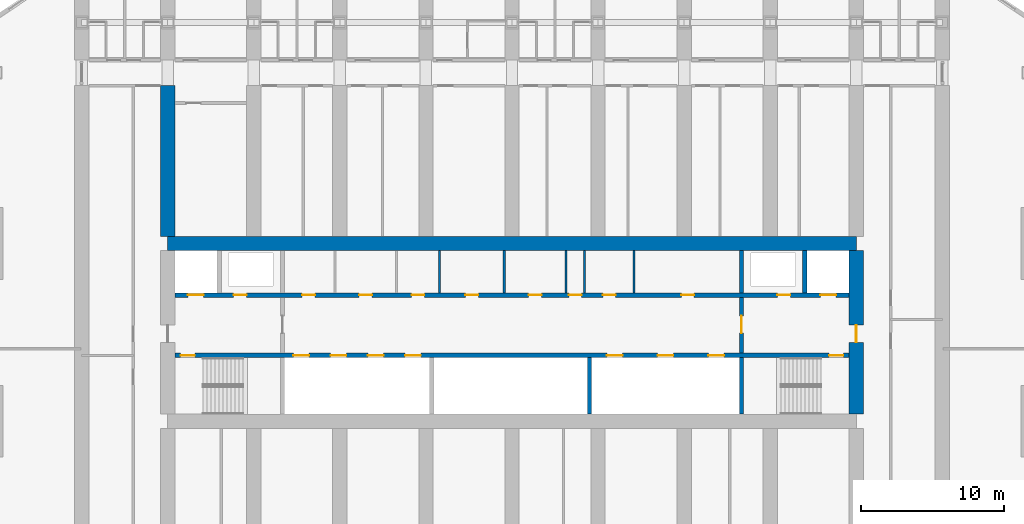
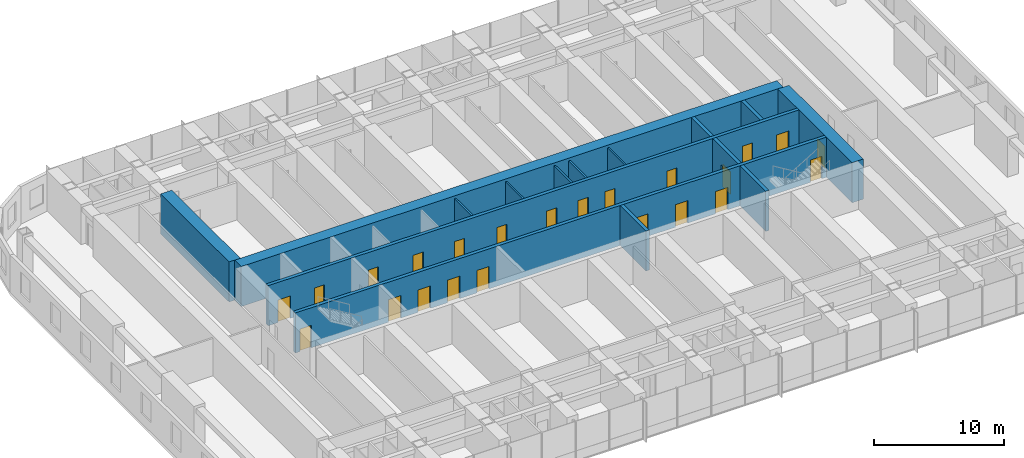
# One storey, part 13 of 23: 23 doors, 15 walls, 23 openings.
"""IFC4 building model written with IfcOpenShell, lengths in metres."""

from ifc_helpers import new_model, si_unit, direction, frame, frame_2d, origin, place, context, subcontext, project, spatial, rectangle, extrude, material, layer, layer_set, type_object, element, fill, save


model = new_model("IFC4")

# Units and contexts
model_context = context("Model", 3, precision=1e-05, world=origin(), true_north=direction((0.0, 1.0)))
body_context = subcontext(model_context, "Body", "Model", "MODEL_VIEW")
ifc_project = project(units=[si_unit("LENGTHUNIT", "METRE"), si_unit("AREAUNIT", "SQUARE_METRE"), si_unit("VOLUMEUNIT", "CUBIC_METRE"), si_unit("PLANEANGLEUNIT", "RADIAN"), si_unit("MASSUNIT", "GRAM", prefix="KILO")], contexts=[model_context])

# Site, building, storey
site_placement = place(None, origin())
site = spatial("IfcSite", under=ifc_project, at=site_placement, CompositionType="ELEMENT")
building_placement = place(site_placement, origin())
building = spatial("IfcBuilding", under=site, at=building_placement, Name="Orbita Commons", CompositionType="ELEMENT")
storey_placement = place(building_placement, frame((0.0, 0.0, 61.449951171875)))
storey = spatial("IfcBuildingStorey", under=building, at=storey_placement, Name="L15", CompositionType="ELEMENT", Elevation=61.449951171875)

# Wall, openings, doors
ifc_material_1 = material(Name="Concrete C50/60", Category="concrete")
ifc_layer_1 = layer(ifc_material_1, 0.300048828125)
ifc_layer_set_1 = layer_set([ifc_layer_1], Name="Concrete C50/60")
wall_type_1 = type_object("IfcWallType", Name="Core inner wall 300 C50/60", PredefinedType="SHEAR", material=ifc_layer_set_1)
wall_1_placement = place(storey_placement, frame((18.5, 30.39990234375, 0.0), z_axis=(0.0, 0.0, 1.0), x_axis=(1.0, 0.0, 0.0)))
wall_1 = element("IfcWall", 1, at=wall_1_placement, inside=storey, type_object=wall_type_1, Name="Lobby wall south L15", PredefinedType="SHEAR", context=body_context, shape_type="SweptSolid", body=[
    extrude(rectangle(XDim=47.0, YDim=0.300048828125, at=frame_2d((23.5, 0.0))), origin(), (0.0, 0.0, 1.0), 3.75),
])
opening_1_placement = place(wall_1_placement, frame((0.39990234375, 0.0, 0.0)))
opening_1 = element("IfcOpeningElement", 2, at=opening_1_placement, cuts=wall_1, Name="Opening D02", PredefinedType="OPENING", context=body_context, shape_type="SweptSolid", body=[
    extrude(rectangle(XDim=1.0, YDim=2.10009765625, at=frame_2d((0.5, 1.050048828125))), frame((0.0, 0.159912109375, 0.0), z_axis=(0.0, -1.0, 0.0), x_axis=(1.0, 0.0, 0.0)), (0.0, 0.0, 1.0), 0.320068359375),
])
opening_2_placement = place(wall_1_placement, frame((45.60009765625, 0.0, 0.0)))
opening_2 = element("IfcOpeningElement", 3, at=opening_2_placement, cuts=wall_1, Name="Opening D02", PredefinedType="OPENING", context=body_context, shape_type="SweptSolid", body=[
    extrude(rectangle(XDim=1.0, YDim=2.10009765625, at=frame_2d((0.5, 1.050048828125))), frame((0.0, 0.159912109375, 0.0), z_axis=(0.0, -1.0, 0.0), x_axis=(1.0, 0.0, 0.0)), (0.0, 0.0, 1.0), 0.320068359375),
])
opening_3_placement = place(wall_1_placement, frame((8.25, 0.0, 0.0)))
opening_3 = element("IfcOpeningElement", 4, at=opening_3_placement, cuts=wall_1, Name="Opening LD02", PredefinedType="OPENING", context=body_context, shape_type="SweptSolid", body=[
    extrude(rectangle(XDim=1.10009765625, YDim=2.10009765625, at=frame_2d((0.550048828125, 1.050048828125))), frame((0.0, 0.159912109375, 0.0), z_axis=(0.0, -1.0, 0.0), x_axis=(1.0, 0.0, 0.0)), (0.0, 0.0, 1.0), 0.320068359375),
])
opening_4_placement = place(wall_1_placement, frame((10.85009765625, 0.0, 0.0)))
opening_4 = element("IfcOpeningElement", 5, at=opening_4_placement, cuts=wall_1, Name="Opening LD02", PredefinedType="OPENING", context=body_context, shape_type="SweptSolid", body=[
    extrude(rectangle(XDim=1.10009765625, YDim=2.10009765625, at=frame_2d((0.550048828125, 1.050048828125))), frame((0.0, 0.159912109375, 0.0), z_axis=(0.0, -1.0, 0.0), x_axis=(1.0, 0.0, 0.0)), (0.0, 0.0, 1.0), 0.320068359375),
])
opening_5_placement = place(wall_1_placement, frame((13.449951171875, 0.0, 0.0)))
opening_5 = element("IfcOpeningElement", 6, at=opening_5_placement, cuts=wall_1, Name="Opening LD02", PredefinedType="OPENING", context=body_context, shape_type="SweptSolid", body=[
    extrude(rectangle(XDim=1.10009765625, YDim=2.10009765625, at=frame_2d((0.550048828125, 1.050048828125))), frame((0.0, 0.159912109375, 0.0), z_axis=(0.0, -1.0, 0.0), x_axis=(1.0, 0.0, 0.0)), (0.0, 0.0, 1.0), 0.320068359375),
])
opening_6_placement = place(wall_1_placement, frame((16.050048828125, 0.0, 0.0)))
opening_6 = element("IfcOpeningElement", 7, at=opening_6_placement, cuts=wall_1, Name="Opening LD02", PredefinedType="OPENING", context=body_context, shape_type="SweptSolid", body=[
    extrude(rectangle(XDim=1.10009765625, YDim=2.10009765625, at=frame_2d((0.550048828125, 1.050048828125))), frame((0.0, 0.159912109375, 0.0), z_axis=(0.0, -1.0, 0.0), x_axis=(1.0, 0.0, 0.0)), (0.0, 0.0, 1.0), 0.320068359375),
])
opening_7_placement = place(wall_1_placement, frame((30.11669921875, 0.0, 0.0)))
opening_7 = element("IfcOpeningElement", 8, at=opening_7_placement, cuts=wall_1, Name="Opening LD02", PredefinedType="OPENING", context=body_context, shape_type="SweptSolid", body=[
    extrude(rectangle(XDim=1.10009765625, YDim=2.10009765625, at=frame_2d((0.550048828125, 1.050048828125))), frame((0.0, 0.159912109375, 0.0), z_axis=(0.0, -1.0, 0.0), x_axis=(1.0, 0.0, 0.0)), (0.0, 0.0, 1.0), 0.320068359375),
])
opening_8_placement = place(wall_1_placement, frame((33.64990234375, 0.0, 0.0)))
opening_8 = element("IfcOpeningElement", 9, at=opening_8_placement, cuts=wall_1, Name="Opening LD02", PredefinedType="OPENING", context=body_context, shape_type="SweptSolid", body=[
    extrude(rectangle(XDim=1.10009765625, YDim=2.10009765625, at=frame_2d((0.550048828125, 1.050048828125))), frame((0.0, 0.159912109375, 0.0), z_axis=(0.0, -1.0, 0.0), x_axis=(1.0, 0.0, 0.0)), (0.0, 0.0, 1.0), 0.320068359375),
])
opening_9_placement = place(wall_1_placement, frame((37.183349609375, 0.0, 0.0)))
opening_9 = element("IfcOpeningElement", 10, at=opening_9_placement, cuts=wall_1, Name="Opening LD02", PredefinedType="OPENING", context=body_context, shape_type="SweptSolid", body=[
    extrude(rectangle(XDim=1.10009765625, YDim=2.10009765625, at=frame_2d((0.550048828125, 1.050048828125))), frame((0.0, 0.159912109375, 0.0), z_axis=(0.0, -1.0, 0.0), x_axis=(1.0, 0.0, 0.0)), (0.0, 0.0, 1.0), 0.320068359375),
])
ifc_material_2 = material(Name="Steel-faced fire door leaf", Category="steel")
door_type_1 = type_object("IfcDoorType", Name="Fire door 90 min 1000x2100", OperationType="SINGLE_SWING_LEFT", PredefinedType="DOOR", material=ifc_material_2)
door_1_placement = place(opening_1_placement, origin())
door_1 = element("IfcDoor", 11, at=door_1_placement, inside=storey, type_object=door_type_1, Name="Stair S1 door", OperationType="SINGLE_SWING_LEFT", OverallHeight=2.10009765625, OverallWidth=1.0, PredefinedType="DOOR", context=body_context, shape_type="SweptSolid", body=[
    extrude(rectangle(XDim=1.0, YDim=2.10009765625, at=frame_2d((0.5, 1.050048828125))), frame((0.0, 0.02490234375, 0.0), z_axis=(0.0, -1.0, 0.0), x_axis=(1.0, 0.0, 0.0)), (0.0, 0.0, 1.0), 0.050048828125),
])
fill(opening_1, door_1)
door_2_placement = place(opening_2_placement, origin())
door_2 = element("IfcDoor", 12, at=door_2_placement, inside=storey, type_object=door_type_1, Name="Stair S2 door", OperationType="SINGLE_SWING_LEFT", OverallHeight=2.10009765625, OverallWidth=1.0, PredefinedType="DOOR", context=body_context, shape_type="SweptSolid", body=[
    extrude(rectangle(XDim=1.0, YDim=2.10009765625, at=frame_2d((0.5, 1.050048828125))), frame((0.0, 0.02490234375, 0.0), z_axis=(0.0, -1.0, 0.0), x_axis=(1.0, 0.0, 0.0)), (0.0, 0.0, 1.0), 0.050048828125),
])
fill(opening_2, door_2)
ifc_material_3 = material(Name="Steel-faced fire door leaf", Category="steel")
door_type_2 = type_object("IfcDoorType", Name="Lift landing door 1100x2100", OperationType="DOUBLE_DOOR_SLIDING", PredefinedType="DOOR", material=ifc_material_3)
door_3_placement = place(opening_3_placement, origin())
door_3 = element("IfcDoor", 13, at=door_3_placement, inside=storey, type_object=door_type_2, Name="Lift P11 landing door", OperationType="DOUBLE_DOOR_SLIDING", OverallHeight=2.10009765625, OverallWidth=1.10009765625, PredefinedType="DOOR", context=body_context, shape_type="SweptSolid", body=[
    extrude(rectangle(XDim=1.10009765625, YDim=2.10009765625, at=frame_2d((0.550048828125, 1.050048828125))), frame((0.0, 0.02490234375, 0.0), z_axis=(0.0, -1.0, 0.0), x_axis=(1.0, 0.0, 0.0)), (0.0, 0.0, 1.0), 0.050048828125),
])
fill(opening_3, door_3)
door_4_placement = place(opening_4_placement, origin())
door_4 = element("IfcDoor", 14, at=door_4_placement, inside=storey, type_object=door_type_2, Name="Lift P12 landing door", OperationType="DOUBLE_DOOR_SLIDING", OverallHeight=2.10009765625, OverallWidth=1.10009765625, PredefinedType="DOOR", context=body_context, shape_type="SweptSolid", body=[
    extrude(rectangle(XDim=1.10009765625, YDim=2.10009765625, at=frame_2d((0.550048828125, 1.050048828125))), frame((0.0, 0.02490234375, 0.0), z_axis=(0.0, -1.0, 0.0), x_axis=(1.0, 0.0, 0.0)), (0.0, 0.0, 1.0), 0.050048828125),
])
fill(opening_4, door_4)
door_5_placement = place(opening_5_placement, origin())
door_5 = element("IfcDoor", 15, at=door_5_placement, inside=storey, type_object=door_type_2, Name="Lift P13 landing door", OperationType="DOUBLE_DOOR_SLIDING", OverallHeight=2.10009765625, OverallWidth=1.10009765625, PredefinedType="DOOR", context=body_context, shape_type="SweptSolid", body=[
    extrude(rectangle(XDim=1.10009765625, YDim=2.10009765625, at=frame_2d((0.550048828125, 1.050048828125))), frame((0.0, 0.02490234375, 0.0), z_axis=(0.0, -1.0, 0.0), x_axis=(1.0, 0.0, 0.0)), (0.0, 0.0, 1.0), 0.050048828125),
])
fill(opening_5, door_5)
door_6_placement = place(opening_6_placement, origin())
door_6 = element("IfcDoor", 16, at=door_6_placement, inside=storey, type_object=door_type_2, Name="Lift P14 landing door", OperationType="DOUBLE_DOOR_SLIDING", OverallHeight=2.10009765625, OverallWidth=1.10009765625, PredefinedType="DOOR", context=body_context, shape_type="SweptSolid", body=[
    extrude(rectangle(XDim=1.10009765625, YDim=2.10009765625, at=frame_2d((0.550048828125, 1.050048828125))), frame((0.0, 0.02490234375, 0.0), z_axis=(0.0, -1.0, 0.0), x_axis=(1.0, 0.0, 0.0)), (0.0, 0.0, 1.0), 0.050048828125),
])
fill(opening_6, door_6)
door_7_placement = place(opening_7_placement, origin())
door_7 = element("IfcDoor", 17, at=door_7_placement, inside=storey, type_object=door_type_2, Name="Lift SV1 landing door", OperationType="DOUBLE_DOOR_SLIDING", OverallHeight=2.10009765625, OverallWidth=1.10009765625, PredefinedType="DOOR", context=body_context, shape_type="SweptSolid", body=[
    extrude(rectangle(XDim=1.10009765625, YDim=2.10009765625, at=frame_2d((0.550048828125, 1.050048828125))), frame((0.0, 0.02490234375, 0.0), z_axis=(0.0, -1.0, 0.0), x_axis=(1.0, 0.0, 0.0)), (0.0, 0.0, 1.0), 0.050048828125),
])
fill(opening_7, door_7)
door_8_placement = place(opening_8_placement, origin())
door_8 = element("IfcDoor", 18, at=door_8_placement, inside=storey, type_object=door_type_2, Name="Lift SV2 landing door", OperationType="DOUBLE_DOOR_SLIDING", OverallHeight=2.10009765625, OverallWidth=1.10009765625, PredefinedType="DOOR", context=body_context, shape_type="SweptSolid", body=[
    extrude(rectangle(XDim=1.10009765625, YDim=2.10009765625, at=frame_2d((0.550048828125, 1.050048828125))), frame((0.0, 0.02490234375, 0.0), z_axis=(0.0, -1.0, 0.0), x_axis=(1.0, 0.0, 0.0)), (0.0, 0.0, 1.0), 0.050048828125),
])
fill(opening_8, door_8)
door_9_placement = place(opening_9_placement, origin())
door_9 = element("IfcDoor", 19, at=door_9_placement, inside=storey, type_object=door_type_2, Name="Lift SV3 landing door", OperationType="DOUBLE_DOOR_SLIDING", OverallHeight=2.10009765625, OverallWidth=1.10009765625, PredefinedType="DOOR", context=body_context, shape_type="SweptSolid", body=[
    extrude(rectangle(XDim=1.10009765625, YDim=2.10009765625, at=frame_2d((0.550048828125, 1.050048828125))), frame((0.0, 0.02490234375, 0.0), z_axis=(0.0, -1.0, 0.0), x_axis=(1.0, 0.0, 0.0)), (0.0, 0.0, 1.0), 0.050048828125),
])
fill(opening_9, door_9)

wall_2_placement = place(storey_placement, frame((18.5, 34.60009765625, 0.0), z_axis=(0.0, 0.0, 1.0), x_axis=(1.0, 0.0, 0.0)))
wall_2 = element("IfcWall", 20, at=wall_2_placement, inside=storey, type_object=wall_type_1, Name="Lobby wall north L15", PredefinedType="SHEAR", context=body_context, shape_type="SweptSolid", body=[
    extrude(rectangle(XDim=47.0, YDim=0.300048828125, at=frame_2d((23.5, 0.0))), origin(), (0.0, 0.0, 1.0), 3.75),
])
opening_10_placement = place(wall_2_placement, frame((0.89990234375, 0.0, 0.0)))
opening_10 = element("IfcOpeningElement", 21, at=opening_10_placement, cuts=wall_2, Name="Opening LD01", PredefinedType="OPENING", context=body_context, shape_type="SweptSolid", body=[
    extrude(rectangle(XDim=1.10009765625, YDim=2.10009765625, at=frame_2d((0.550048828125, 1.050048828125))), frame((0.0, 0.159912109375, 0.0), z_axis=(0.0, -1.0, 0.0), x_axis=(1.0, 0.0, 0.0)), (0.0, 0.0, 1.0), 0.320068359375),
])
opening_11_placement = place(wall_2_placement, frame((45.0, 0.0, 0.0)))
opening_11 = element("IfcOpeningElement", 22, at=opening_11_placement, cuts=wall_2, Name="Opening LD01", PredefinedType="OPENING", context=body_context, shape_type="SweptSolid", body=[
    extrude(rectangle(XDim=1.10009765625, YDim=2.10009765625, at=frame_2d((0.550048828125, 1.050048828125))), frame((0.0, 0.159912109375, 0.0), z_axis=(0.0, -1.0, 0.0), x_axis=(1.0, 0.0, 0.0)), (0.0, 0.0, 1.0), 0.320068359375),
])
opening_12_placement = place(wall_2_placement, frame((4.10009765625, 0.0, 0.0)))
opening_12 = element("IfcOpeningElement", 23, at=opening_12_placement, cuts=wall_2, Name="Opening D03", PredefinedType="OPENING", context=body_context, shape_type="SweptSolid", body=[
    extrude(rectangle(XDim=0.89990234375, YDim=2.10009765625, at=frame_2d((0.449951171875, 1.050048828125))), frame((0.0, 0.159912109375, 0.0), z_axis=(0.0, -1.0, 0.0), x_axis=(1.0, 0.0, 0.0)), (0.0, 0.0, 1.0), 0.320068359375),
])
opening_13_placement = place(wall_2_placement, frame((42.0, 0.0, 0.0)))
opening_13 = element("IfcOpeningElement", 24, at=opening_13_placement, cuts=wall_2, Name="Opening D03", PredefinedType="OPENING", context=body_context, shape_type="SweptSolid", body=[
    extrude(rectangle(XDim=0.89990234375, YDim=2.10009765625, at=frame_2d((0.449951171875, 1.050048828125))), frame((0.0, 0.159912109375, 0.0), z_axis=(0.0, -1.0, 0.0), x_axis=(1.0, 0.0, 0.0)), (0.0, 0.0, 1.0), 0.320068359375),
])
opening_14_placement = place(wall_2_placement, frame((8.87548828125, 0.0, 0.0)))
opening_14 = element("IfcOpeningElement", 25, at=opening_14_placement, cuts=wall_2, Name="Opening D05", PredefinedType="OPENING", context=body_context, shape_type="SweptSolid", body=[
    extrude(rectangle(XDim=0.89990234375, YDim=2.10009765625, at=frame_2d((0.449951171875, 1.050048828125))), frame((0.0, 0.159912109375, 0.0), z_axis=(0.0, -1.0, 0.0), x_axis=(1.0, 0.0, 0.0)), (0.0, 0.0, 1.0), 0.320068359375),
])
opening_15_placement = place(wall_2_placement, frame((12.8486328125, 0.0, 0.0)))
opening_15 = element("IfcOpeningElement", 26, at=opening_15_placement, cuts=wall_2, Name="Opening D03", PredefinedType="OPENING", context=body_context, shape_type="SweptSolid", body=[
    extrude(rectangle(XDim=0.89990234375, YDim=2.10009765625, at=frame_2d((0.449951171875, 1.050048828125))), frame((0.0, 0.159912109375, 0.0), z_axis=(0.0, -1.0, 0.0), x_axis=(1.0, 0.0, 0.0)), (0.0, 0.0, 1.0), 0.320068359375),
])
opening_16_placement = place(wall_2_placement, frame((16.496337890625, 0.0, 0.0)))
opening_16 = element("IfcOpeningElement", 27, at=opening_16_placement, cuts=wall_2, Name="Opening D03", PredefinedType="OPENING", context=body_context, shape_type="SweptSolid", body=[
    extrude(rectangle(XDim=0.89990234375, YDim=2.10009765625, at=frame_2d((0.449951171875, 1.050048828125))), frame((0.0, 0.159912109375, 0.0), z_axis=(0.0, -1.0, 0.0), x_axis=(1.0, 0.0, 0.0)), (0.0, 0.0, 1.0), 0.320068359375),
])
opening_17_placement = place(wall_2_placement, frame((20.254638671875, 0.0, 0.0)))
opening_17 = element("IfcOpeningElement", 28, at=opening_17_placement, cuts=wall_2, Name="Opening D05", PredefinedType="OPENING", context=body_context, shape_type="SweptSolid", body=[
    extrude(rectangle(XDim=0.89990234375, YDim=2.10009765625, at=frame_2d((0.449951171875, 1.050048828125))), frame((0.0, 0.159912109375, 0.0), z_axis=(0.0, -1.0, 0.0), x_axis=(1.0, 0.0, 0.0)), (0.0, 0.0, 1.0), 0.320068359375),
])
opening_18_placement = place(wall_2_placement, frame((24.66064453125, 0.0, 0.0)))
opening_18 = element("IfcOpeningElement", 29, at=opening_18_placement, cuts=wall_2, Name="Opening D03", PredefinedType="OPENING", context=body_context, shape_type="SweptSolid", body=[
    extrude(rectangle(XDim=0.89990234375, YDim=2.10009765625, at=frame_2d((0.449951171875, 1.050048828125))), frame((0.0, 0.159912109375, 0.0), z_axis=(0.0, -1.0, 0.0), x_axis=(1.0, 0.0, 0.0)), (0.0, 0.0, 1.0), 0.320068359375),
])
opening_19_placement = place(wall_2_placement, frame((27.45849609375, 0.0, 0.0)))
opening_19 = element("IfcOpeningElement", 30, at=opening_19_placement, cuts=wall_2, Name="Opening D03", PredefinedType="OPENING", context=body_context, shape_type="SweptSolid", body=[
    extrude(rectangle(XDim=0.89990234375, YDim=2.10009765625, at=frame_2d((0.449951171875, 1.050048828125))), frame((0.0, 0.159912109375, 0.0), z_axis=(0.0, -1.0, 0.0), x_axis=(1.0, 0.0, 0.0)), (0.0, 0.0, 1.0), 0.320068359375),
])
opening_20_placement = place(wall_2_placement, frame((29.830810546875, 0.0, 0.0)))
opening_20 = element("IfcOpeningElement", 31, at=opening_20_placement, cuts=wall_2, Name="Opening D05", PredefinedType="OPENING", context=body_context, shape_type="SweptSolid", body=[
    extrude(rectangle(XDim=0.89990234375, YDim=2.10009765625, at=frame_2d((0.449951171875, 1.050048828125))), frame((0.0, 0.159912109375, 0.0), z_axis=(0.0, -1.0, 0.0), x_axis=(1.0, 0.0, 0.0)), (0.0, 0.0, 1.0), 0.320068359375),
])
opening_21_placement = place(wall_2_placement, frame((35.301513671875, 0.0, 0.0)))
opening_21 = element("IfcOpeningElement", 32, at=opening_21_placement, cuts=wall_2, Name="Opening D03", PredefinedType="OPENING", context=body_context, shape_type="SweptSolid", body=[
    extrude(rectangle(XDim=0.89990234375, YDim=2.10009765625, at=frame_2d((0.449951171875, 1.050048828125))), frame((0.0, 0.159912109375, 0.0), z_axis=(0.0, -1.0, 0.0), x_axis=(1.0, 0.0, 0.0)), (0.0, 0.0, 1.0), 0.320068359375),
])
ifc_material_4 = material(Name="Steel-faced fire door leaf", Category="steel")
door_type_3 = type_object("IfcDoorType", Name="Firefighting lift landing door 1100x2100", OperationType="DOUBLE_DOOR_SLIDING", PredefinedType="DOOR", material=ifc_material_4)
door_10_placement = place(opening_10_placement, origin())
door_10 = element("IfcDoor", 33, at=door_10_placement, inside=storey, type_object=door_type_3, Name="Firefighting lift FL1 landing door", OperationType="DOUBLE_DOOR_SLIDING", OverallHeight=2.10009765625, OverallWidth=1.10009765625, PredefinedType="DOOR", context=body_context, shape_type="SweptSolid", body=[
    extrude(rectangle(XDim=1.10009765625, YDim=2.10009765625, at=frame_2d((0.550048828125, 1.050048828125))), frame((0.0, 0.02490234375, 0.0), z_axis=(0.0, -1.0, 0.0), x_axis=(1.0, 0.0, 0.0)), (0.0, 0.0, 1.0), 0.050048828125),
])
fill(opening_10, door_10)
door_11_placement = place(opening_11_placement, origin())
door_11 = element("IfcDoor", 34, at=door_11_placement, inside=storey, type_object=door_type_3, Name="Firefighting lift FL2 landing door", OperationType="DOUBLE_DOOR_SLIDING", OverallHeight=2.10009765625, OverallWidth=1.10009765625, PredefinedType="DOOR", context=body_context, shape_type="SweptSolid", body=[
    extrude(rectangle(XDim=1.10009765625, YDim=2.10009765625, at=frame_2d((0.550048828125, 1.050048828125))), frame((0.0, 0.02490234375, 0.0), z_axis=(0.0, -1.0, 0.0), x_axis=(1.0, 0.0, 0.0)), (0.0, 0.0, 1.0), 0.050048828125),
])
fill(opening_11, door_11)
ifc_material_5 = material(Name="Steel-faced fire door leaf", Category="steel")
door_type_4 = type_object("IfcDoorType", Name="Service door 20 min 900x2100", OperationType="SINGLE_SWING_LEFT", PredefinedType="DOOR", material=ifc_material_5)
door_12_placement = place(opening_14_placement, origin())
door_12 = element("IfcDoor", 35, at=door_12_placement, inside=storey, type_object=door_type_4, Name="Staff WC door", OperationType="SINGLE_SWING_LEFT", OverallHeight=2.10009765625, OverallWidth=0.89990234375, PredefinedType="DOOR", context=body_context, shape_type="SweptSolid", body=[
    extrude(rectangle(XDim=0.89990234375, YDim=2.10009765625, at=frame_2d((0.449951171875, 1.050048828125))), frame((0.0, 0.02490234375, 0.0), z_axis=(0.0, -1.0, 0.0), x_axis=(1.0, 0.0, 0.0)), (0.0, 0.0, 1.0), 0.050048828125),
])
fill(opening_14, door_12)
door_13_placement = place(opening_17_placement, origin())
door_13 = element("IfcDoor", 36, at=door_13_placement, inside=storey, type_object=door_type_4, Name="Vending and ice room door", OperationType="SINGLE_SWING_LEFT", OverallHeight=2.10009765625, OverallWidth=0.89990234375, PredefinedType="DOOR", context=body_context, shape_type="SweptSolid", body=[
    extrude(rectangle(XDim=0.89990234375, YDim=2.10009765625, at=frame_2d((0.449951171875, 1.050048828125))), frame((0.0, 0.02490234375, 0.0), z_axis=(0.0, -1.0, 0.0), x_axis=(1.0, 0.0, 0.0)), (0.0, 0.0, 1.0), 0.050048828125),
])
fill(opening_17, door_13)
door_14_placement = place(opening_20_placement, origin())
door_14 = element("IfcDoor", 37, at=door_14_placement, inside=storey, type_object=door_type_4, Name="Accessible WC door", OperationType="SINGLE_SWING_LEFT", OverallHeight=2.10009765625, OverallWidth=0.89990234375, PredefinedType="DOOR", context=body_context, shape_type="SweptSolid", body=[
    extrude(rectangle(XDim=0.89990234375, YDim=2.10009765625, at=frame_2d((0.449951171875, 1.050048828125))), frame((0.0, 0.02490234375, 0.0), z_axis=(0.0, -1.0, 0.0), x_axis=(1.0, 0.0, 0.0)), (0.0, 0.0, 1.0), 0.050048828125),
])
fill(opening_20, door_14)
ifc_material_6 = material(Name="Steel-faced fire door leaf", Category="steel")
door_type_5 = type_object("IfcDoorType", Name="Shaft access door 90 min 900x2100", OperationType="SINGLE_SWING_LEFT", PredefinedType="DOOR", material=ifc_material_6)
door_15_placement = place(opening_12_placement, origin())
door_15 = element("IfcDoor", 38, at=door_15_placement, inside=storey, type_object=door_type_5, Name="Riser door west", OperationType="SINGLE_SWING_LEFT", OverallHeight=2.10009765625, OverallWidth=0.89990234375, PredefinedType="DOOR", context=body_context, shape_type="SweptSolid", body=[
    extrude(rectangle(XDim=0.89990234375, YDim=2.10009765625, at=frame_2d((0.449951171875, 1.050048828125))), frame((0.0, 0.02490234375, 0.0), z_axis=(0.0, -1.0, 0.0), x_axis=(1.0, 0.0, 0.0)), (0.0, 0.0, 1.0), 0.050048828125),
])
fill(opening_12, door_15)
door_16_placement = place(opening_13_placement, origin())
door_16 = element("IfcDoor", 39, at=door_16_placement, inside=storey, type_object=door_type_5, Name="Riser door east", OperationType="SINGLE_SWING_LEFT", OverallHeight=2.10009765625, OverallWidth=0.89990234375, PredefinedType="DOOR", context=body_context, shape_type="SweptSolid", body=[
    extrude(rectangle(XDim=0.89990234375, YDim=2.10009765625, at=frame_2d((0.449951171875, 1.050048828125))), frame((0.0, 0.02490234375, 0.0), z_axis=(0.0, -1.0, 0.0), x_axis=(1.0, 0.0, 0.0)), (0.0, 0.0, 1.0), 0.050048828125),
])
fill(opening_13, door_16)
door_17_placement = place(opening_15_placement, origin())
door_17 = element("IfcDoor", 40, at=door_17_placement, inside=storey, type_object=door_type_5, Name="Refuse chute room door", OperationType="SINGLE_SWING_LEFT", OverallHeight=2.10009765625, OverallWidth=0.89990234375, PredefinedType="DOOR", context=body_context, shape_type="SweptSolid", body=[
    extrude(rectangle(XDim=0.89990234375, YDim=2.10009765625, at=frame_2d((0.449951171875, 1.050048828125))), frame((0.0, 0.02490234375, 0.0), z_axis=(0.0, -1.0, 0.0), x_axis=(1.0, 0.0, 0.0)), (0.0, 0.0, 1.0), 0.050048828125),
])
fill(opening_15, door_17)
door_18_placement = place(opening_16_placement, origin())
door_18 = element("IfcDoor", 41, at=door_18_placement, inside=storey, type_object=door_type_5, Name="Electrical riser room door", OperationType="SINGLE_SWING_LEFT", OverallHeight=2.10009765625, OverallWidth=0.89990234375, PredefinedType="DOOR", context=body_context, shape_type="SweptSolid", body=[
    extrude(rectangle(XDim=0.89990234375, YDim=2.10009765625, at=frame_2d((0.449951171875, 1.050048828125))), frame((0.0, 0.02490234375, 0.0), z_axis=(0.0, -1.0, 0.0), x_axis=(1.0, 0.0, 0.0)), (0.0, 0.0, 1.0), 0.050048828125),
])
fill(opening_16, door_18)
door_19_placement = place(opening_18_placement, origin())
door_19 = element("IfcDoor", 42, at=door_19_placement, inside=storey, type_object=door_type_5, Name="Communications room door", OperationType="SINGLE_SWING_LEFT", OverallHeight=2.10009765625, OverallWidth=0.89990234375, PredefinedType="DOOR", context=body_context, shape_type="SweptSolid", body=[
    extrude(rectangle(XDim=0.89990234375, YDim=2.10009765625, at=frame_2d((0.449951171875, 1.050048828125))), frame((0.0, 0.02490234375, 0.0), z_axis=(0.0, -1.0, 0.0), x_axis=(1.0, 0.0, 0.0)), (0.0, 0.0, 1.0), 0.050048828125),
])
fill(opening_18, door_19)
door_20_placement = place(opening_19_placement, origin())
door_20 = element("IfcDoor", 43, at=door_20_placement, inside=storey, type_object=door_type_5, Name="Stair pressurisation duct door", OperationType="SINGLE_SWING_LEFT", OverallHeight=2.10009765625, OverallWidth=0.89990234375, PredefinedType="DOOR", context=body_context, shape_type="SweptSolid", body=[
    extrude(rectangle(XDim=0.89990234375, YDim=2.10009765625, at=frame_2d((0.449951171875, 1.050048828125))), frame((0.0, 0.02490234375, 0.0), z_axis=(0.0, -1.0, 0.0), x_axis=(1.0, 0.0, 0.0)), (0.0, 0.0, 1.0), 0.050048828125),
])
fill(opening_19, door_20)
door_21_placement = place(opening_21_placement, origin())
door_21 = element("IfcDoor", 44, at=door_21_placement, inside=storey, type_object=door_type_5, Name="Linen and housekeeping store door", OperationType="SINGLE_SWING_LEFT", OverallHeight=2.10009765625, OverallWidth=0.89990234375, PredefinedType="DOOR", context=body_context, shape_type="SweptSolid", body=[
    extrude(rectangle(XDim=0.89990234375, YDim=2.10009765625, at=frame_2d((0.449951171875, 1.050048828125))), frame((0.0, 0.02490234375, 0.0), z_axis=(0.0, -1.0, 0.0), x_axis=(1.0, 0.0, 0.0)), (0.0, 0.0, 1.0), 0.050048828125),
])
fill(opening_21, door_21)

# Wall
wall_3_placement = place(storey_placement, frame((58.0, 26.300048828125, 0.0), z_axis=(0.0, 0.0, 1.0), x_axis=(0.0, 1.0, 0.0)))
element("IfcWall", 45, at=wall_3_placement, inside=storey, type_object=wall_type_1, Name="Stair S2 wall L15", PredefinedType="SHEAR", context=body_context, shape_type="SweptSolid", body=[
    extrude(rectangle(XDim=3.949951171875, YDim=0.300048828125, at=frame_2d((1.97509765625, 0.0))), origin(), (0.0, 0.0, 1.0), 3.75),
])

# Wall, opening, door
wall_4_placement = place(storey_placement, frame((58.0, 30.550048828125, 0.0), z_axis=(0.0, 0.0, 1.0), x_axis=(0.0, 1.0, 0.0)))
wall_4 = element("IfcWall", 46, at=wall_4_placement, inside=storey, type_object=wall_type_1, Name="Firefighting lobby wall east L15", PredefinedType="SHEAR", context=body_context, shape_type="SweptSolid", body=[
    extrude(rectangle(XDim=3.89990234375, YDim=0.300048828125, at=frame_2d((1.949951171875, 0.0))), origin(), (0.0, 0.0, 1.0), 3.75),
])
opening_22_placement = place(wall_4_placement, frame((1.39990234375, 0.0, 0.0)))
opening_22 = element("IfcOpeningElement", 47, at=opening_22_placement, cuts=wall_4, Name="Opening D04", PredefinedType="OPENING", context=body_context, shape_type="SweptSolid", body=[
    extrude(rectangle(XDim=1.199951171875, YDim=2.10009765625, at=frame_2d((0.60009765625, 1.050048828125))), frame((0.0, 0.159912109375, 0.0), z_axis=(0.0, -1.0, 0.0), x_axis=(1.0, 0.0, 0.0)), (0.0, 0.0, 1.0), 0.320068359375),
])
ifc_material_7 = material(Name="Steel-faced fire door leaf", Category="steel")
door_type_6 = type_object("IfcDoorType", Name="Service door 20 min 1200x2100", OperationType="SINGLE_SWING_LEFT", PredefinedType="DOOR", material=ifc_material_7)
door_22_placement = place(opening_22_placement, origin())
door_22 = element("IfcDoor", 48, at=door_22_placement, inside=storey, type_object=door_type_6, Name="Lift lobby door east", OperationType="SINGLE_SWING_LEFT", OverallHeight=2.10009765625, OverallWidth=1.199951171875, PredefinedType="DOOR", context=body_context, shape_type="SweptSolid", body=[
    extrude(rectangle(XDim=1.199951171875, YDim=2.10009765625, at=frame_2d((0.60009765625, 1.050048828125))), frame((0.0, 0.02490234375, 0.0), z_axis=(0.0, -1.0, 0.0), x_axis=(1.0, 0.0, 0.0)), (0.0, 0.0, 1.0), 0.050048828125),
])
fill(opening_22, door_22)

# Walls
for number, where, z_axis, x_axis, name in (
    (49, (62.39990234375, 34.75, 0.0), (0.0, 0.0, 1.0), (0.0, 1.0, 0.0), "Firefighting lift FL2 shaft wall L15"),
    (50, (58.0, 34.75, 0.0), (0.0, 0.0, 1.0), (0.0, 1.0, 0.0), "Riser wall east L15"),
):
    element("IfcWall", number, at=place(storey_placement, frame(where, z_axis=z_axis, x_axis=x_axis)), inside=storey, type_object=wall_type_1, Name=name, PredefinedType="SHEAR", context=body_context, shape_type="SweptSolid", body=[
        extrude(rectangle(XDim=2.949951171875, YDim=0.300048828125, at=frame_2d((1.47509765625, 0.0))), origin(), (0.0, 0.0, 1.0), 3.75),
    ])
wall_5_placement = place(storey_placement, frame((47.39990234375, 26.300048828125, 0.0), z_axis=(0.0, 0.0, 1.0), x_axis=(0.0, 1.0, 0.0)))
element("IfcWall", 51, at=wall_5_placement, inside=storey, type_object=wall_type_1, Name="Hoistway division wall L15", PredefinedType="SHEAR", context=body_context, shape_type="SweptSolid", body=[
    extrude(rectangle(XDim=3.949951171875, YDim=0.300048828125, at=frame_2d((1.97509765625, 0.0))), origin(), (0.0, 0.0, 1.0), 3.75),
])
ifc_material_8 = material(Name="Concrete blockwork", Category="masonry")
ifc_layer_2 = layer(ifc_material_8, 0.14990234375)
ifc_layer_set_2 = layer_set([ifc_layer_2], Name="Concrete blockwork")
wall_type_2 = type_object("IfcWallType", Name="Core partition 150 blockwork", PredefinedType="SOLIDWALL", material=ifc_layer_set_2)
for number, where, z_axis, x_axis, name in (
    (52, (36.9462890625, 34.75, 0.0), (0.0, 0.0, 1.0), (0.0, 1.0, 0.0), "Core partition 150 blockwork L15"),
    (53, (41.463134765625, 34.75, 0.0), (0.0, 0.0, 1.0), (0.0, 1.0, 0.0), "Core partition 150 blockwork L15"),
    (54, (45.75830078125, 34.75, 0.0), (0.0, 0.0, 1.0), (0.0, 1.0, 0.0), "Core partition 150 blockwork L15"),
    (55, (47.058349609375, 34.75, 0.0), (0.0, 0.0, 1.0), (0.0, 1.0, 0.0), "Core partition 150 blockwork L15"),
    (56, (50.5029296875, 34.75, 0.0), (0.0, 0.0, 1.0), (0.0, 1.0, 0.0), "Core partition 150 blockwork L15"),
):
    element("IfcWall", number, at=place(storey_placement, frame(where, z_axis=z_axis, x_axis=x_axis)), inside=storey, type_object=wall_type_2, Name=name, PredefinedType="SOLIDWALL", context=body_context, shape_type="SweptSolid", body=[
        extrude(rectangle(XDim=2.949951171875, YDim=0.14990234375, at=frame_2d((1.47509765625, 0.0))), origin(), (0.0, 0.0, 1.0), 3.5),
    ])
ifc_material_9 = material(Name="Concrete C50/60", Category="concrete")
ifc_layer_3 = layer(ifc_material_9, 1.0)
ifc_layer_set_3 = layer_set([ifc_layer_3], Name="Concrete C50/60")
wall_type_3 = type_object("IfcWallType", Name="Core wall 1000 C50/60", PredefinedType="SHEAR", material=ifc_layer_set_3)
wall_6_placement = place(storey_placement, frame((18.0, 38.199951171875, 0.0), z_axis=(0.0, 0.0, 1.0), x_axis=(1.0, 0.0, 0.0)))
element("IfcWall", 57, at=wall_6_placement, inside=storey, type_object=wall_type_3, Name="Core spine wall north L15", PredefinedType="SHEAR", context=body_context, shape_type="SweptSolid", body=[
    extrude(rectangle(XDim=48.0, YDim=1.0, at=frame_2d((24.0, 0.0))), origin(), (0.0, 0.0, 1.0), 3.75),
])

# Wall, opening, door
wall_7_placement = place(storey_placement, frame((66.0, 26.300048828125, 0.0), z_axis=(0.0, 0.0, 1.0), x_axis=(0.0, 1.0, 0.0)))
wall_7 = element("IfcWall", 58, at=wall_7_placement, inside=storey, type_object=wall_type_3, Name="Core end wall east L15", PredefinedType="SHEAR", context=body_context, shape_type="SweptSolid", body=[
    extrude(rectangle(XDim=11.39990234375, YDim=1.0, at=frame_2d((5.699951171875, 0.0))), origin(), (0.0, 0.0, 1.0), 3.75),
])
opening_23_placement = place(wall_7_placement, frame((5.0, 0.0, 0.0)))
opening_23 = element("IfcOpeningElement", 59, at=opening_23_placement, cuts=wall_7, Name="Opening D01", PredefinedType="OPENING", context=body_context, shape_type="SweptSolid", body=[
    extrude(rectangle(XDim=1.199951171875, YDim=2.10009765625, at=frame_2d((0.60009765625, 1.050048828125))), frame((0.0, 0.510009765625, 0.0), z_axis=(0.0, -1.0, 0.0), x_axis=(1.0, 0.0, 0.0)), (0.0, 0.0, 1.0), 1.02001953125),
])
ifc_material_10 = material(Name="Steel-faced fire door leaf", Category="steel")
door_type_7 = type_object("IfcDoorType", Name="Fire door 90 min 1200x2100", OperationType="SINGLE_SWING_LEFT", PredefinedType="DOOR", material=ifc_material_10)
door_23_placement = place(opening_23_placement, origin())
door_23 = element("IfcDoor", 60, at=door_23_placement, inside=storey, type_object=door_type_7, Name="Firefighting lobby east door", OperationType="SINGLE_SWING_LEFT", OverallHeight=2.10009765625, OverallWidth=1.199951171875, PredefinedType="DOOR", context=body_context, shape_type="SweptSolid", body=[
    extrude(rectangle(XDim=1.199951171875, YDim=2.10009765625, at=frame_2d((0.60009765625, 1.050048828125))), frame((0.0, 0.02490234375, 0.0), z_axis=(0.0, -1.0, 0.0), x_axis=(1.0, 0.0, 0.0)), (0.0, 0.0, 1.0), 0.050048828125),
])
fill(opening_23, door_23)

# Wall
ifc_material_11 = material(Name="Concrete C50/60", Category="concrete")
ifc_layer_4 = layer(ifc_material_11, 1.0)
ifc_layer_set_4 = layer_set([ifc_layer_4], Name="Concrete C50/60")
wall_type_4 = type_object("IfcWallType", Name="Cross wall 1000 C50/60", PredefinedType="SHEAR", material=ifc_layer_set_4)
wall_8_placement = place(storey_placement, frame((18.0, 38.699951171875, 0.0), z_axis=(0.0, 0.0, 1.0), x_axis=(0.0, 1.0, 0.0)))
element("IfcWall", 61, at=wall_8_placement, inside=storey, type_object=wall_type_4, Name="Cross wall 4 north inner L15", PredefinedType="SHEAR", context=body_context, shape_type="SweptSolid", body=[
    extrude(rectangle(XDim=10.5, YDim=1.0, at=frame_2d((5.25, 0.0))), origin(), (0.0, 0.0, 1.0), 3.75),
])

save(model, "model.ifc")
